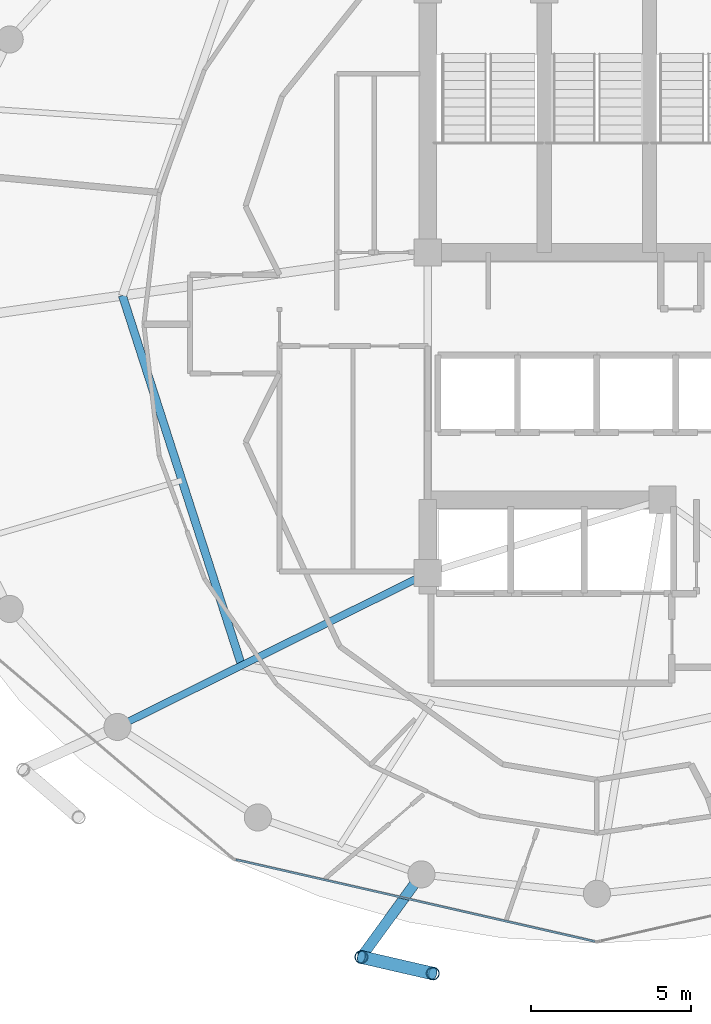
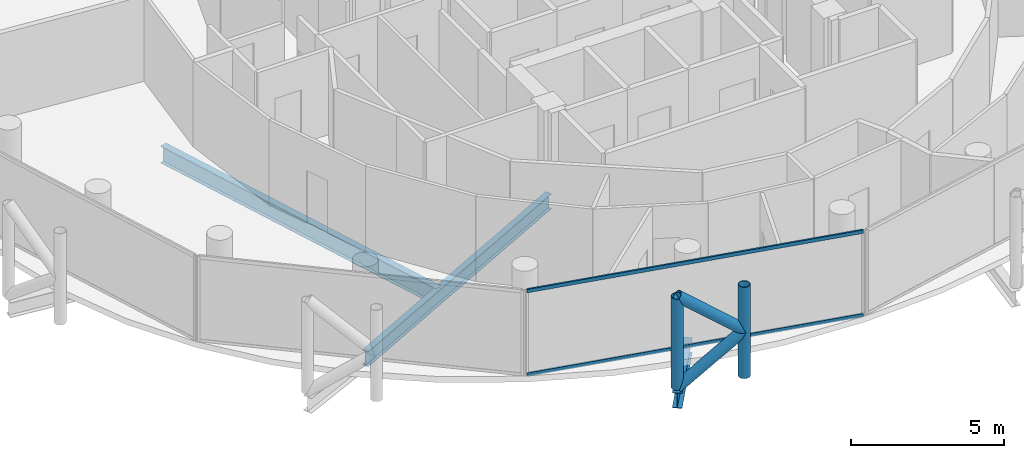
# One storey, part 4 of 27: 6 members, 3 beams, 1 element without a shape of its own.
"""IFC4 building model written with IfcOpenShell, lengths in metres."""

from ifc_helpers import new_model, si_unit, direction, frame, origin, origin_2d, place, context, subcontext, project, spatial, hollow_rectangle, hollow_circle, i_section, extrude, material, layer, layer_set, material_profile, profile_set, type_object, element, aggregate, save


model = new_model("IFC4")

# Units and contexts
model_context = context("Model", 3, precision=1e-05, world=origin(), true_north=direction((0.0, 1.0)))
body_context = subcontext(model_context, "Body", "Model", "MODEL_VIEW")
ifc_project = project(units=[si_unit("LENGTHUNIT", "METRE"), si_unit("AREAUNIT", "SQUARE_METRE"), si_unit("VOLUMEUNIT", "CUBIC_METRE"), si_unit("PLANEANGLEUNIT", "RADIAN"), si_unit("MASSUNIT", "GRAM", prefix="KILO")], contexts=[model_context])

# Site, building, storey
site_placement = place(None, origin())
site = spatial("IfcSite", under=ifc_project, at=site_placement, CompositionType="ELEMENT")
building_placement = place(site_placement, origin())
building = spatial("IfcBuilding", under=site, at=building_placement, Name="Nuhasar Tower", CompositionType="ELEMENT")
storey_placement = place(building_placement, frame((0.0, 0.0, 244.64990234375)))
storey = spatial("IfcBuildingStorey", under=building, at=storey_placement, Name="L60", CompositionType="ELEMENT", Elevation=244.64990234375)

# Beams
ifc_material_1 = material(Name="Steel S355", Category="steel")
ifc_material_profile_1 = material_profile(ifc_material_1, i_section(OverallWidth=0.25390625, OverallDepth=0.68408203125, WebThickness=0.012451171875, FlangeThickness=0.018798828125, at=origin_2d()), Name="W27X94")
ifc_profile_set_1 = profile_set([ifc_material_profile_1], Name="Steel S355")
beam_type_1 = type_object("IfcBeamType", Name="BM-INRING-W27X94", PredefinedType="BEAM", material=ifc_profile_set_1)
beam_1_placement = place(storey_placement, frame((24.1298828125, 27.699951171875, -0.581787109375), z_axis=(0.306589852134, -0.951841721385, 0.0), x_axis=(0.951841721385, 0.306589852134, 0.0)))
element("IfcBeam", 1, at=beam_1_placement, inside=storey, type_object=beam_type_1, Name="L60 Inner Header Beam 08", PredefinedType="BEAM", context=body_context, shape_type="SweptSolid", body=[
    extrude(i_section(OverallWidth=0.25390625, OverallDepth=0.68408203125, WebThickness=0.012451171875, FlangeThickness=0.018798828125, at=origin_2d()), origin(), (0.0, 0.0, 1.0), 12.179443359375),
])
ifc_material_profile_2 = material_profile(ifc_material_1, i_section(OverallWidth=0.22900390625, OverallDepth=0.612060546875, WebThickness=0.011962890625, FlangeThickness=0.01953125, at=origin_2d()), Name="W24X84")
ifc_profile_set_2 = profile_set([ifc_material_profile_2], Name="Steel S355")
beam_type_2 = type_object("IfcBeamType", Name="BM-RAD-W24X84", PredefinedType="BEAM", material=ifc_profile_set_2)
beam_2_placement = place(storey_placement, frame((33.699951171875, 19.0, -0.5458984375), z_axis=(-0.895928935233, -0.444197414459, 0.0), x_axis=(0.444197414459, -0.895928935233, 0.0)))
element("IfcBeam", 2, at=beam_2_placement, inside=storey, type_object=beam_type_2, Name="L60 Radial Floor Girder 01", PredefinedType="BEAM", context=body_context, shape_type="SweptSolid", body=[
    extrude(i_section(OverallWidth=0.22900390625, OverallDepth=0.612060546875, WebThickness=0.011962890625, FlangeThickness=0.01953125, at=origin_2d()), origin(), (0.0, 0.0, 1.0), 10.85546875),
])
ifc_material_profile_3 = material_profile(ifc_material_1, i_section(OverallWidth=0.323974609375, OverallDepth=0.611083984375, WebThickness=0.0126953125, FlangeThickness=0.01904296875, at=origin_2d()), Name="W24X104")
ifc_profile_set_3 = profile_set([ifc_material_profile_3], Name="Steel S355")
beam_type_3 = type_object("IfcBeamType", Name="BM-TIE-W24X104", PredefinedType="BEAM", material=ifc_profile_set_3)
beam_3_placement = place(storey_placement, frame((33.5, 9.55810546875, -0.544921875), z_axis=(-0.588094663461, -0.808792103577, 0.0), x_axis=(0.808792103577, -0.588094663461, 0.0)))
element("IfcBeam", 3, at=beam_3_placement, inside=storey, type_object=beam_type_3, Name="L60 Exoskeleton Node Tie Beam 09", PredefinedType="BEAM", context=body_context, shape_type="SweptSolid", body=[
    extrude(i_section(OverallWidth=0.323974609375, OverallDepth=0.611083984375, WebThickness=0.0126953125, FlangeThickness=0.01904296875, at=origin_2d()), origin(), (0.0, 0.0, 1.0), 3.20361328125),
])

# Curtain wall, members
ifc_material_2 = material(Name="Aluminium 6063-T6", Category="aluminium")
ifc_layer = layer(ifc_material_2, 0.18994140625)
ifc_layer_set = layer_set([ifc_layer], Name="Aluminium 6063-T6")
curtain_wall_type = type_object("IfcCurtainWallType", Name="CW-Z3-RES", PredefinedType="NOTDEFINED", material=ifc_layer_set)
curtain_wall_placement = place(storey_placement, origin())
curtain_wall = element("IfcCurtainWall", 4, at=curtain_wall_placement, inside=storey, type_object=curtain_wall_type, Name="L60 Unitised Curtain Wall 09", PredefinedType="NOTDEFINED")
ifc_material_profile_4 = material_profile(ifc_material_2, hollow_rectangle(XDim=0.06494140625, YDim=0.139892578125, WallThickness=0.00439453125, at=origin_2d()), Name="CWT-4")
ifc_profile_set_4 = profile_set([ifc_material_profile_4], Name="Aluminium 6063-T6")
member_type_1 = type_object("IfcMemberType", Name="CW-TRN-S4", PredefinedType="USERDEFINED", material=ifc_profile_set_4)
member_1_placement = place(storey_placement, frame((27.683349609375, 10.01953125, 0.03271484375), z_axis=(0.974989487479, -0.222250982686, 0.0), x_axis=(0.222250982686, 0.974989487479, 0.0)))
member_1 = element("IfcMember", 5, at=member_1_placement, type_object=member_type_1, Name="CW-Z3 transom 1.1", ObjectType="TRANSOM", PredefinedType="USERDEFINED", context=body_context, shape_type="SweptSolid", body=[
    extrude(hollow_rectangle(XDim=0.06494140625, YDim=0.139892578125, WallThickness=0.00439453125, at=origin_2d()), origin(), (0.0, 0.0, 1.0), 11.541748046875),
])
member_2_placement = place(storey_placement, frame((27.683349609375, 10.01953125, 3.377685546875), z_axis=(0.974989487479, -0.222250982686, 0.0), x_axis=(0.222250982686, 0.974989487479, 0.0)))
member_2 = element("IfcMember", 6, at=member_2_placement, type_object=member_type_1, Name="CW-Z3 transom 1.2", ObjectType="TRANSOM", PredefinedType="USERDEFINED", context=body_context, shape_type="SweptSolid", body=[
    extrude(hollow_rectangle(XDim=0.06494140625, YDim=0.139892578125, WallThickness=0.00439453125, at=origin_2d()), origin(), (0.0, 0.0, 1.0), 11.541748046875),
])
aggregate(curtain_wall, [member_1, member_2])

# Members
ifc_material_3 = material(Name="Steel S460", Category="steel")
ifc_material_profile_5 = material_profile(ifc_material_3, hollow_circle(Radius=0.203125, WallThickness=0.01904296875, at=origin_2d()), Name="HSS406.4X19.1")
ifc_profile_set_5 = profile_set([ifc_material_profile_5], Name="Steel S460")
member_type_2 = type_object("IfcMemberType", Name="EXO-BRONZE-406", PredefinedType="BRACE", material=ifc_profile_set_5)
for number, where, z_axis, x_axis, name in (
    (7, (31.615966796875, 6.967041015625, 0.0), (0.0, 0.0, 1.0), (1.0, 0.0, 0.0), "L60 Exoskeleton Chord Column EC-09A"),
    (8, (33.85693359375, 6.450927734375, 0.0), (0.0, 0.0, 1.0), (1.0, 0.0, 0.0), "L60 Exoskeleton Chord Column EC-09B"),
):
    element("IfcMember", number, at=place(storey_placement, frame(where, z_axis=z_axis, x_axis=x_axis)), inside=storey, type_object=member_type_2, Name=name, PredefinedType="BRACE", context=body_context, shape_type="SweptSolid", body=[
        extrude(hollow_circle(Radius=0.203125, WallThickness=0.01904296875, at=origin_2d()), origin(), (0.0, 0.0, 1.0), 3.650146484375),
    ])
member_3_placement = place(storey_placement, frame((31.615966796875, 6.967041015625, 0.0), z_axis=(0.763292124721, -0.175792521153, 0.621676862884), x_axis=(0.224433035437, 0.97448951385, 0.0)))
element("IfcMember", 9, at=member_3_placement, inside=storey, type_object=member_type_2, Name="L60 Bronze Diagrid Brace W1-09", PredefinedType="BRACE", context=body_context, shape_type="SweptSolid", body=[
    extrude(hollow_circle(Radius=0.203125, WallThickness=0.01904296875, at=origin_2d()), origin(), (0.0, 0.0, 1.0), 2.93603515625),
])
member_4_placement = place(storey_placement, frame((33.85693359375, 6.450927734375, 1.8251953125), z_axis=(-0.76333158458, 0.175801609086, 0.621625841021), x_axis=(-0.224433035437, -0.97448951385, 0.0)))
element("IfcMember", 10, at=member_4_placement, inside=storey, type_object=member_type_2, Name="L60 Bronze Diagrid Brace W2-09", PredefinedType="BRACE", context=body_context, shape_type="SweptSolid", body=[
    extrude(hollow_circle(Radius=0.203125, WallThickness=0.01904296875, at=origin_2d()), origin(), (0.0, 0.0, 1.0), 2.935791015625),
])

save(model, "model.ifc")
